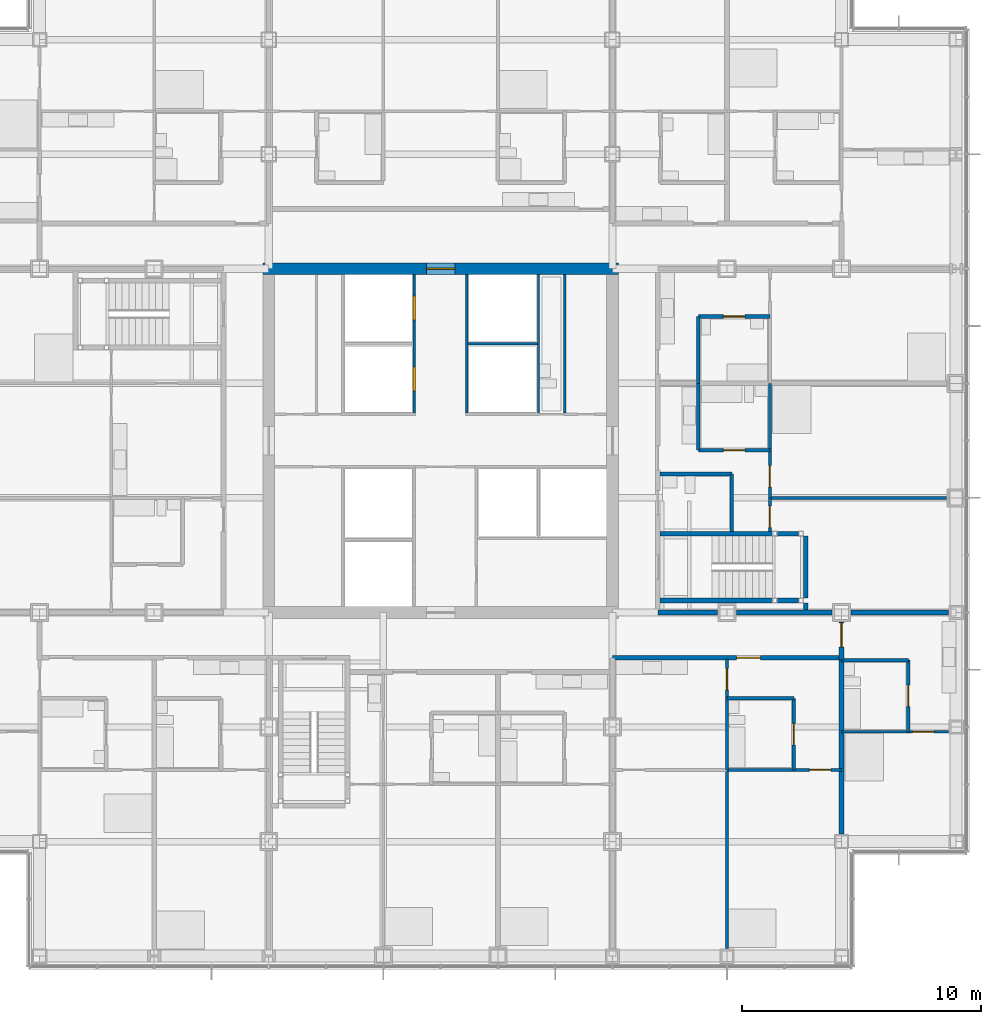
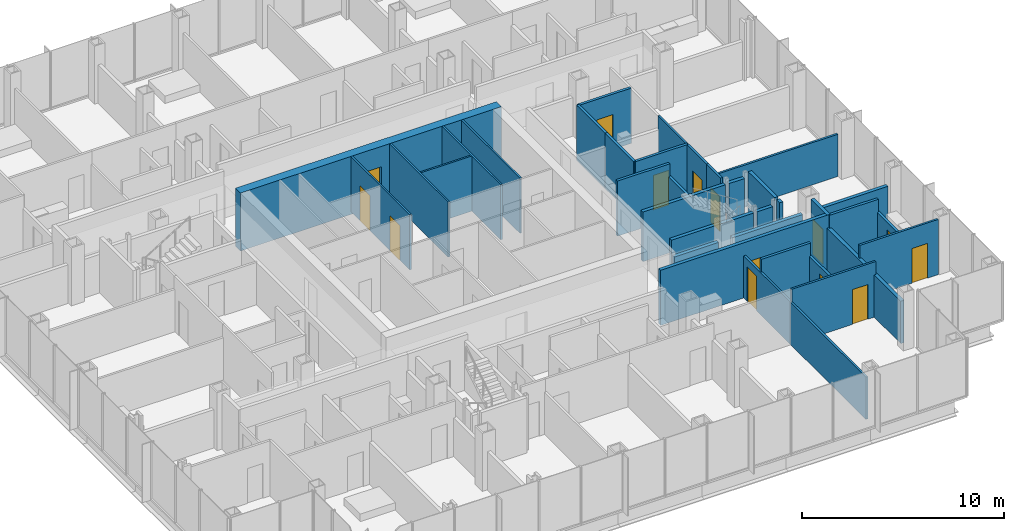
# One storey, part 16 of 21: 35 walls, 14 doors, 14 openings.
"""IFC4 building model written with IfcOpenShell, lengths in metres."""

from ifc_helpers import new_model, si_unit, direction, frame, frame_2d, origin, place, context, subcontext, project, spatial, rectangle, extrude, material, layer, layer_set, type_object, element, fill, save


model = new_model("IFC4")

# Units and contexts
model_context = context("Model", 3, precision=1e-05, world=origin(), true_north=direction((0.0, 1.0)))
body_context = subcontext(model_context, "Body", "Model", "MODEL_VIEW")
ifc_project = project(units=[si_unit("LENGTHUNIT", "METRE"), si_unit("AREAUNIT", "SQUARE_METRE"), si_unit("VOLUMEUNIT", "CUBIC_METRE"), si_unit("PLANEANGLEUNIT", "RADIAN"), si_unit("MASSUNIT", "GRAM", prefix="KILO")], contexts=[model_context])

# Site, building, storey
site_placement = place(None, origin())
site = spatial("IfcSite", under=ifc_project, at=site_placement, CompositionType="ELEMENT")
building_placement = place(site_placement, origin())
building = spatial("IfcBuilding", under=site, at=building_placement, Name="Kvirike Care Tower", CompositionType="ELEMENT")
storey_placement = place(building_placement, frame((0.0, 0.0, 41.0)))
storey = spatial("IfcBuildingStorey", under=building, at=storey_placement, Name="L10", CompositionType="ELEMENT", Elevation=41.0)

# Wall, opening, door
ifc_material_1 = material(Name="Moisture-resistant board partition", Category="gypsum")
ifc_layer_1 = layer(ifc_material_1, 0.14990234375)
ifc_layer_set_1 = layer_set([ifc_layer_1], Name="BATHROOM WALL 150")
wall_type_1 = type_object("IfcWallType", Name="BATHROOM WALL 150", PredefinedType="PARTITIONING", material=ifc_layer_set_1)
wall_1_placement = place(storey_placement, frame((36.39990234375, 22.199951171875, 0.0), z_axis=(0.0, 0.0, 1.0), x_axis=(0.0, 1.0, 0.0)))
wall_1 = element("IfcWall", 1, at=wall_1_placement, inside=storey, type_object=wall_type_1, Name="Bathroom Wall 150 L10", PredefinedType="PARTITIONING", context=body_context, shape_type="SweptSolid", body=[
    extrude(rectangle(XDim=3.0, YDim=0.14990234375, at=frame_2d((1.5, 0.0))), origin(), (0.0, 0.0, 1.0), 2.550048828125),
])
opening_1_placement = place(wall_1_placement, frame((1.050048828125, 0.0, 0.0)))
opening_1 = element("IfcOpeningElement", 2, at=opening_1_placement, cuts=wall_1, Name="Opening 10-039", PredefinedType="OPENING", context=body_context, shape_type="SweptSolid", body=[
    extrude(rectangle(XDim=0.89990234375, YDim=2.10009765625, at=frame_2d((0.449951171875, 1.050048828125))), frame((0.0, 0.08544921875, 0.0), z_axis=(0.0, -1.0, 0.0), x_axis=(1.0, 0.0, 0.0)), (0.0, 0.0, 1.0), 0.1708984375),
])
ifc_material_2 = material(Name="Timber door set", Category="wood")
door_type_1 = type_object("IfcDoorType", Name="BATHROOM DOOR 900", OperationType="SINGLE_SWING_RIGHT", PredefinedType="DOOR", material=ifc_material_2)
door_1_placement = place(opening_1_placement, origin())
door_1 = element("IfcDoor", 3, at=door_1_placement, inside=storey, type_object=door_type_1, Name="Bathroom door", OperationType="SINGLE_SWING_LEFT", OverallHeight=2.10009765625, OverallWidth=0.89990234375, PredefinedType="DOOR", context=body_context, shape_type="SweptSolid", body=[
    extrude(rectangle(XDim=0.89990234375, YDim=2.10009765625, at=frame_2d((0.449951171875, 1.050048828125))), frame((0.0, 0.02197265625, 0.0), z_axis=(0.0, -1.0, 0.0), x_axis=(1.0, 0.0, 0.0)), (0.0, 0.0, 1.0), 0.0439453125),
])
fill(opening_1, door_1)

# Wall
wall_2_placement = place(storey_placement, frame((33.60009765625, 25.199951171875, 0.0), z_axis=(0.0, 0.0, 1.0), x_axis=(1.0, 0.0, 0.0)))
element("IfcWall", 4, at=wall_2_placement, inside=storey, type_object=wall_type_1, Name="Bathroom Wall 150 L10", PredefinedType="PARTITIONING", context=body_context, shape_type="SweptSolid", body=[
    extrude(rectangle(XDim=2.7998046875, YDim=0.14990234375, at=frame_2d((1.39990234375, 0.0))), origin(), (0.0, 0.0, 1.0), 3.330078125),
])

# Wall, opening, door
wall_3_placement = place(storey_placement, frame((41.199951171875, 23.800048828125, 0.0), z_axis=(0.0, 0.0, 1.0), x_axis=(0.0, 1.0, 0.0)))
wall_3 = element("IfcWall", 5, at=wall_3_placement, inside=storey, type_object=wall_type_1, Name="Bathroom Wall 150 L10", PredefinedType="PARTITIONING", context=body_context, shape_type="SweptSolid", body=[
    extrude(rectangle(XDim=3.0, YDim=0.14990234375, at=frame_2d((1.5, 0.0))), origin(), (0.0, 0.0, 1.0), 2.550048828125),
])
opening_2_placement = place(wall_3_placement, frame((1.050048828125, 0.0, 0.0)))
opening_2 = element("IfcOpeningElement", 6, at=opening_2_placement, cuts=wall_3, Name="Opening 10-043", PredefinedType="OPENING", context=body_context, shape_type="SweptSolid", body=[
    extrude(rectangle(XDim=0.89990234375, YDim=2.10009765625, at=frame_2d((0.449951171875, 1.050048828125))), frame((0.0, 0.08544921875, 0.0), z_axis=(0.0, -1.0, 0.0), x_axis=(1.0, 0.0, 0.0)), (0.0, 0.0, 1.0), 0.1708984375),
])
door_2_placement = place(opening_2_placement, origin())
door_2 = element("IfcDoor", 7, at=door_2_placement, inside=storey, type_object=door_type_1, Name="Bathroom door", OperationType="SINGLE_SWING_LEFT", OverallHeight=2.10009765625, OverallWidth=0.89990234375, PredefinedType="DOOR", context=body_context, shape_type="SweptSolid", body=[
    extrude(rectangle(XDim=0.89990234375, YDim=2.10009765625, at=frame_2d((0.449951171875, 1.050048828125))), frame((0.0, 0.02197265625, 0.0), z_axis=(0.0, -1.0, 0.0), x_axis=(1.0, 0.0, 0.0)), (0.0, 0.0, 1.0), 0.0439453125),
])
fill(opening_2, door_2)

# Walls
wall_4_placement = place(storey_placement, frame((38.39990234375, 26.800048828125, 0.0), z_axis=(0.0, 0.0, 1.0), x_axis=(1.0, 0.0, 0.0)))
element("IfcWall", 8, at=wall_4_placement, inside=storey, type_object=wall_type_1, Name="Bathroom Wall 150 L10", PredefinedType="PARTITIONING", context=body_context, shape_type="SweptSolid", body=[
    extrude(rectangle(XDim=2.800048828125, YDim=0.14990234375, at=frame_2d((1.39990234375, 0.0))), origin(), (0.0, 0.0, 1.0), 3.330078125),
])
wall_5_placement = place(storey_placement, frame((33.800048828125, 32.199951171875, 0.0), z_axis=(0.0, 0.0, 1.0), x_axis=(0.0, 1.0, 0.0)))
element("IfcWall", 9, at=wall_5_placement, inside=storey, type_object=wall_type_1, Name="Bathroom Wall 150 L10", PredefinedType="PARTITIONING", context=body_context, shape_type="SweptSolid", body=[
    extrude(rectangle(XDim=2.400146484375, YDim=0.14990234375, at=frame_2d((1.2001953125, 0.0))), origin(), (0.0, 0.0, 1.0), 2.550048828125),
])
wall_6_placement = place(storey_placement, frame((33.800048828125, 34.60009765625, 0.0), z_axis=(0.0, 0.0, 1.0), x_axis=(-1.0, 0.0, 0.0)))
element("IfcWall", 10, at=wall_6_placement, inside=storey, type_object=wall_type_1, Name="Bathroom Wall 150 L10", PredefinedType="PARTITIONING", context=body_context, shape_type="SweptSolid", body=[
    extrude(rectangle(XDim=3.0, YDim=0.14990234375, at=frame_2d((1.5, 0.0))), origin(), (0.0, 0.0, 1.0), 3.330078125),
])

# Wall, opening, door
wall_7_placement = place(storey_placement, frame((35.39990234375, 35.60009765625, 0.0), z_axis=(0.0, 0.0, 1.0), x_axis=(-1.0, 0.0, 0.0)))
wall_7 = element("IfcWall", 11, at=wall_7_placement, inside=storey, type_object=wall_type_1, Name="Bathroom Wall 150 L10", PredefinedType="PARTITIONING", context=body_context, shape_type="SweptSolid", body=[
    extrude(rectangle(XDim=3.0, YDim=0.14990234375, at=frame_2d((1.5, 0.0))), origin(), (0.0, 0.0, 1.0), 3.330078125),
])
opening_3_placement = place(wall_7_placement, frame((1.050048828125, 0.0, 0.0)))
opening_3 = element("IfcOpeningElement", 12, at=opening_3_placement, cuts=wall_7, Name="Opening 10-047", PredefinedType="OPENING", context=body_context, shape_type="SweptSolid", body=[
    extrude(rectangle(XDim=0.89990234375, YDim=2.10009765625, at=frame_2d((0.449951171875, 1.050048828125))), frame((0.0, 0.08544921875, 0.0), z_axis=(0.0, -1.0, 0.0), x_axis=(1.0, 0.0, 0.0)), (0.0, 0.0, 1.0), 0.1708984375),
])
door_3_placement = place(opening_3_placement, frame((0.89990234375, 0.0, 0.0), z_axis=(0.0, 0.0, 1.0), x_axis=(-1.0, 0.0, 0.0)))
door_3 = element("IfcDoor", 13, at=door_3_placement, inside=storey, type_object=door_type_1, Name="Bathroom door", OperationType="SINGLE_SWING_RIGHT", OverallHeight=2.10009765625, OverallWidth=0.89990234375, PredefinedType="DOOR", context=body_context, shape_type="SweptSolid", body=[
    extrude(rectangle(XDim=0.89990234375, YDim=2.10009765625, at=frame_2d((0.449951171875, 1.050048828125))), frame((0.0, 0.02197265625, 0.0), z_axis=(0.0, -1.0, 0.0), x_axis=(1.0, 0.0, 0.0)), (0.0, 0.0, 1.0), 0.0439453125),
])
fill(opening_3, door_3)

# Wall
wall_8_placement = place(storey_placement, frame((32.39990234375, 35.60009765625, 0.0), z_axis=(0.0, 0.0, 1.0), x_axis=(0.0, 1.0, 0.0)))
element("IfcWall", 14, at=wall_8_placement, inside=storey, type_object=wall_type_1, Name="Bathroom Wall 150 L10", PredefinedType="PARTITIONING", context=body_context, shape_type="SweptSolid", body=[
    extrude(rectangle(XDim=2.7998046875, YDim=0.14990234375, at=frame_2d((1.39990234375, 0.0))), origin(), (0.0, 0.0, 1.0), 3.330078125),
])

# Wall, opening, door
wall_9_placement = place(storey_placement, frame((35.39990234375, 41.199951171875, 0.0), z_axis=(0.0, 0.0, 1.0), x_axis=(-1.0, 0.0, 0.0)))
wall_9 = element("IfcWall", 15, at=wall_9_placement, inside=storey, type_object=wall_type_1, Name="Bathroom Wall 150 L10", PredefinedType="PARTITIONING", context=body_context, shape_type="SweptSolid", body=[
    extrude(rectangle(XDim=3.0, YDim=0.14990234375, at=frame_2d((1.5, 0.0))), origin(), (0.0, 0.0, 1.0), 3.330078125),
])
opening_4_placement = place(wall_9_placement, frame((1.050048828125, 0.0, 0.0)))
opening_4 = element("IfcOpeningElement", 16, at=opening_4_placement, cuts=wall_9, Name="Opening 10-050", PredefinedType="OPENING", context=body_context, shape_type="SweptSolid", body=[
    extrude(rectangle(XDim=0.89990234375, YDim=2.10009765625, at=frame_2d((0.449951171875, 1.050048828125))), frame((0.0, 0.08544921875, 0.0), z_axis=(0.0, -1.0, 0.0), x_axis=(1.0, 0.0, 0.0)), (0.0, 0.0, 1.0), 0.1708984375),
])
door_4_placement = place(opening_4_placement, origin())
door_4 = element("IfcDoor", 17, at=door_4_placement, inside=storey, type_object=door_type_1, Name="Bathroom door", OperationType="SINGLE_SWING_LEFT", OverallHeight=2.10009765625, OverallWidth=0.89990234375, PredefinedType="DOOR", context=body_context, shape_type="SweptSolid", body=[
    extrude(rectangle(XDim=0.89990234375, YDim=2.10009765625, at=frame_2d((0.449951171875, 1.050048828125))), frame((0.0, 0.02197265625, 0.0), z_axis=(0.0, -1.0, 0.0), x_axis=(1.0, 0.0, 0.0)), (0.0, 0.0, 1.0), 0.0439453125),
])
fill(opening_4, door_4)

# Wall
wall_10_placement = place(storey_placement, frame((32.39990234375, 38.39990234375, 0.0), z_axis=(0.0, 0.0, 1.0), x_axis=(0.0, 1.0, 0.0)))
element("IfcWall", 18, at=wall_10_placement, inside=storey, type_object=wall_type_1, Name="Bathroom Wall 150 L10", PredefinedType="PARTITIONING", context=body_context, shape_type="SweptSolid", body=[
    extrude(rectangle(XDim=2.800048828125, YDim=0.14990234375, at=frame_2d((1.39990234375, 0.0))), origin(), (0.0, 0.0, 1.0), 3.330078125),
])

# Wall, opening, door
ifc_material_3 = material(Name="Concrete C60/75", Category="concrete")
ifc_layer_2 = layer(ifc_material_3, 0.5)
ifc_layer_set_2 = layer_set([ifc_layer_2], Name="CORE WALL 500 C60-75")
wall_type_2 = type_object("IfcWallType", Name="CORE WALL 500 C60-75", PredefinedType="SHEAR", material=ifc_layer_set_2)
wall_11_placement = place(storey_placement, frame((29.050048828125, 43.199951171875, -0.169921875), z_axis=(0.0, 0.0, 1.0), x_axis=(-1.0, 0.0, 0.0)))
wall_11 = element("IfcWall", 19, at=wall_11_placement, inside=storey, type_object=wall_type_2, Name="Core wall N L10", PredefinedType="SHEAR", context=body_context, shape_type="SweptSolid", body=[
    extrude(rectangle(XDim=14.900146484375, YDim=0.5, at=frame_2d((7.4501953125, 0.0))), origin(), (0.0, 0.0, 1.0), 3.5),
])
opening_5_placement = place(wall_11_placement, frame((6.85009765625, 0.0, 0.169921875)))
opening_5 = element("IfcOpeningElement", 20, at=opening_5_placement, cuts=wall_11, Name="Opening 10-078", PredefinedType="OPENING", context=body_context, shape_type="SweptSolid", body=[
    extrude(rectangle(XDim=1.199951171875, YDim=2.10009765625, at=frame_2d((0.60009765625, 1.050048828125))), frame((0.0, 0.260498046875, 0.0), z_axis=(0.0, -1.0, 0.0), x_axis=(1.0, 0.0, 0.0)), (0.0, 0.0, 1.0), 0.52099609375),
])
ifc_material_4 = material(Name="Timber door set", Category="wood")
door_type_2 = type_object("IfcDoorType", Name="CORE DOOR 1200", OperationType="SINGLE_SWING_LEFT", PredefinedType="DOOR", material=ifc_material_4)
door_5_placement = place(opening_5_placement, origin())
door_5 = element("IfcDoor", 21, at=door_5_placement, inside=storey, type_object=door_type_2, Name="Core door N L10", OperationType="SINGLE_SWING_LEFT", OverallHeight=2.10009765625, OverallWidth=1.199951171875, PredefinedType="DOOR", context=body_context, shape_type="SweptSolid", body=[
    extrude(rectangle(XDim=1.199951171875, YDim=2.10009765625, at=frame_2d((0.60009765625, 1.050048828125))), frame((0.0, 0.02685546875, 0.0), z_axis=(0.0, -1.0, 0.0), x_axis=(1.0, 0.0, 0.0)), (0.0, 0.0, 1.0), 0.053955078125),
])
fill(opening_5, door_5)

ifc_material_5 = material(Name="Plasterboard corridor wall", Category="gypsum")
ifc_layer_3 = layer(ifc_material_5, 0.199951171875)
ifc_layer_set_3 = layer_set([ifc_layer_3], Name="CORRIDOR WALL 200")
wall_type_3 = type_object("IfcWallType", Name="CORRIDOR WALL 200", PredefinedType="PARTITIONING", material=ifc_layer_set_3)
wall_12_placement = place(storey_placement, frame((28.800048828125, 26.89990234375, 0.0), z_axis=(0.0, 0.0, 1.0), x_axis=(1.0, 0.0, 0.0)))
wall_12 = element("IfcWall", 22, at=wall_12_placement, inside=storey, type_object=wall_type_3, Name="Corridor Wall 200 L10", PredefinedType="PARTITIONING", context=body_context, shape_type="SweptSolid", body=[
    extrude(rectangle(XDim=9.599853515625, YDim=0.199951171875, at=frame_2d((4.7998046875, 0.0))), origin(), (0.0, 0.0, 1.0), 3.330078125),
])
opening_6_placement = place(wall_12_placement, frame((5.199951171875, 0.0, 0.0)))
opening_6 = element("IfcOpeningElement", 23, at=opening_6_placement, cuts=wall_12, Name="Opening 10-045", PredefinedType="OPENING", context=body_context, shape_type="SweptSolid", body=[
    extrude(rectangle(XDim=1.0, YDim=2.10009765625, at=frame_2d((0.5, 1.050048828125))), frame((0.0, 0.110595703125, 0.0), z_axis=(0.0, -1.0, 0.0), x_axis=(1.0, 0.0, 0.0)), (0.0, 0.0, 1.0), 0.220947265625),
])
ifc_material_6 = material(Name="Timber door set", Category="wood")
door_type_3 = type_object("IfcDoorType", Name="FLAT ENTRANCE DOOR 1000", OperationType="SINGLE_SWING_LEFT", PredefinedType="DOOR", material=ifc_material_6)
door_6_placement = place(opening_6_placement, frame((1.0, 0.0, 0.0), z_axis=(0.0, 0.0, 1.0), x_axis=(-1.0, 0.0, 0.0)))
door_6 = element("IfcDoor", 24, at=door_6_placement, inside=storey, type_object=door_type_3, Name="One-bedroom apartment entrance", OperationType="SINGLE_SWING_LEFT", OverallHeight=2.10009765625, OverallWidth=1.0, PredefinedType="DOOR", context=body_context, shape_type="SweptSolid", body=[
    extrude(rectangle(XDim=1.0, YDim=2.10009765625, at=frame_2d((0.5, 1.050048828125))), frame((0.0, 0.02685546875, 0.0), z_axis=(0.0, -1.0, 0.0), x_axis=(1.0, 0.0, 0.0)), (0.0, 0.0, 1.0), 0.053955078125),
])
fill(opening_6, door_6)

wall_13_placement = place(storey_placement, frame((38.39990234375, 26.800048828125, 0.0), z_axis=(0.0, 0.0, 1.0), x_axis=(0.0, 1.0, 0.0)))
wall_13 = element("IfcWall", 25, at=wall_13_placement, inside=storey, type_object=wall_type_3, Name="Corridor Wall 200 L10", PredefinedType="PARTITIONING", context=body_context, shape_type="SweptSolid", body=[
    extrude(rectangle(XDim=1.60498046875, YDim=0.199951171875, at=frame_2d((0.802490234375, 0.0))), origin(), (0.0, 0.0, 1.0), 3.330078125),
])
opening_7_placement = place(wall_13_placement, frame((0.550048828125, 0.0, 0.0)))
opening_7 = element("IfcOpeningElement", 26, at=opening_7_placement, cuts=wall_13, Name="Opening 10-046", PredefinedType="OPENING", context=body_context, shape_type="SweptSolid", body=[
    extrude(rectangle(XDim=1.0, YDim=2.10009765625, at=frame_2d((0.5, 1.050048828125))), frame((0.0, 0.110595703125, 0.0), z_axis=(0.0, -1.0, 0.0), x_axis=(1.0, 0.0, 0.0)), (0.0, 0.0, 1.0), 0.220947265625),
])
door_7_placement = place(opening_7_placement, frame((1.0, 0.0, 0.0), z_axis=(0.0, 0.0, 1.0), x_axis=(-1.0, 0.0, 0.0)))
door_7 = element("IfcDoor", 27, at=door_7_placement, inside=storey, type_object=door_type_3, Name="Studio apartment entrance", OperationType="SINGLE_SWING_RIGHT", OverallHeight=2.10009765625, OverallWidth=1.0, PredefinedType="DOOR", context=body_context, shape_type="SweptSolid", body=[
    extrude(rectangle(XDim=1.0, YDim=2.10009765625, at=frame_2d((0.5, 1.050048828125))), frame((0.0, 0.02685546875, 0.0), z_axis=(0.0, -1.0, 0.0), x_axis=(1.0, 0.0, 0.0)), (0.0, 0.0, 1.0), 0.053955078125),
])
fill(opening_7, door_7)

ifc_material_7 = material(Name="Plasterboard partition", Category="gypsum")
ifc_layer_4 = layer(ifc_material_7, 0.1201171875)
ifc_layer_set_4 = layer_set([ifc_layer_4], Name="PARTITION 120")
wall_type_4 = type_object("IfcWallType", Name="PARTITION 120", PredefinedType="PARTITIONING", material=ifc_layer_set_4)
wall_14_placement = place(storey_placement, frame((33.60009765625, 22.199951171875, 0.0), z_axis=(0.0, 0.0, 1.0), x_axis=(0.0, 1.0, 0.0)))
wall_14 = element("IfcWall", 28, at=wall_14_placement, inside=storey, type_object=wall_type_4, Name="Partition 120 L10", PredefinedType="PARTITIONING", context=body_context, shape_type="SweptSolid", body=[
    extrude(rectangle(XDim=4.650146484375, YDim=0.1201171875, at=frame_2d((2.3251953125, 0.0))), origin(), (0.0, 0.0, 1.0), 2.550048828125),
])
opening_8_placement = place(wall_14_placement, frame((3.35009765625, 0.0, 0.0)))
opening_8 = element("IfcOpeningElement", 29, at=opening_8_placement, cuts=wall_14, Name="Opening 10-040", PredefinedType="OPENING", context=body_context, shape_type="SweptSolid", body=[
    extrude(rectangle(XDim=0.89990234375, YDim=2.10009765625, at=frame_2d((0.449951171875, 1.050048828125))), frame((0.0, 0.070556640625, 0.0), z_axis=(0.0, -1.0, 0.0), x_axis=(1.0, 0.0, 0.0)), (0.0, 0.0, 1.0), 0.14111328125),
])
ifc_material_8 = material(Name="Timber door set", Category="wood")
door_type_4 = type_object("IfcDoorType", Name="INTERNAL DOOR 900", OperationType="SINGLE_SWING_LEFT", PredefinedType="DOOR", material=ifc_material_8)
door_8_placement = place(opening_8_placement, origin())
door_8 = element("IfcDoor", 30, at=door_8_placement, inside=storey, type_object=door_type_4, Name="Hall door", OperationType="SINGLE_SWING_LEFT", OverallHeight=2.10009765625, OverallWidth=0.89990234375, PredefinedType="DOOR", context=body_context, shape_type="SweptSolid", body=[
    extrude(rectangle(XDim=0.89990234375, YDim=2.10009765625, at=frame_2d((0.449951171875, 1.050048828125))), frame((0.0, 0.02197265625, 0.0), z_axis=(0.0, -1.0, 0.0), x_axis=(1.0, 0.0, 0.0)), (0.0, 0.0, 1.0), 0.0439453125),
])
fill(opening_8, door_8)

wall_15_placement = place(storey_placement, frame((33.60009765625, 22.199951171875, 0.0), z_axis=(0.0, 0.0, 1.0), x_axis=(1.0, 0.0, 0.0)))
wall_15 = element("IfcWall", 31, at=wall_15_placement, inside=storey, type_object=wall_type_4, Name="Partition 120 L10", PredefinedType="PARTITIONING", context=body_context, shape_type="SweptSolid", body=[
    extrude(rectangle(XDim=4.7998046875, YDim=0.1201171875, at=frame_2d((2.39990234375, 0.0))), origin(), (0.0, 0.0, 1.0), 3.330078125),
])
opening_9_placement = place(wall_15_placement, frame((3.449951171875, 0.0, 0.0)))
opening_9 = element("IfcOpeningElement", 32, at=opening_9_placement, cuts=wall_15, Name="Opening 10-042", PredefinedType="OPENING", context=body_context, shape_type="SweptSolid", body=[
    extrude(rectangle(XDim=0.89990234375, YDim=2.10009765625, at=frame_2d((0.449951171875, 1.050048828125))), frame((0.0, 0.070556640625, 0.0), z_axis=(0.0, -1.0, 0.0), x_axis=(1.0, 0.0, 0.0)), (0.0, 0.0, 1.0), 0.14111328125),
])
door_9_placement = place(opening_9_placement, origin())
door_9 = element("IfcDoor", 33, at=door_9_placement, inside=storey, type_object=door_type_4, Name="Apartment bedroom door", OperationType="SINGLE_SWING_LEFT", OverallHeight=2.10009765625, OverallWidth=0.89990234375, PredefinedType="DOOR", context=body_context, shape_type="SweptSolid", body=[
    extrude(rectangle(XDim=0.89990234375, YDim=2.10009765625, at=frame_2d((0.449951171875, 1.050048828125))), frame((0.0, 0.02197265625, 0.0), z_axis=(0.0, -1.0, 0.0), x_axis=(1.0, 0.0, 0.0)), (0.0, 0.0, 1.0), 0.0439453125),
])
fill(opening_9, door_9)

# Wall
wall_16_placement = place(storey_placement, frame((33.60009765625, 14.719970703125, 0.0), z_axis=(0.0, 0.0, 1.0), x_axis=(0.0, 1.0, 0.0)))
element("IfcWall", 34, at=wall_16_placement, inside=storey, type_object=wall_type_4, Name="Partition 120 L10", PredefinedType="PARTITIONING", context=body_context, shape_type="SweptSolid", body=[
    extrude(rectangle(XDim=7.47998046875, YDim=0.1201171875, at=frame_2d((3.739990234375, 0.0))), origin(), (0.0, 0.0, 1.0), 2.550048828125),
])

# Wall, opening, door
wall_17_placement = place(storey_placement, frame((38.39990234375, 23.800048828125, 0.0), z_axis=(0.0, 0.0, 1.0), x_axis=(1.0, 0.0, 0.0)))
wall_17 = element("IfcWall", 35, at=wall_17_placement, inside=storey, type_object=wall_type_4, Name="Partition 120 L10", PredefinedType="PARTITIONING", context=body_context, shape_type="SweptSolid", body=[
    extrude(rectangle(XDim=4.47998046875, YDim=0.1201171875, at=frame_2d((2.239990234375, 0.0))), origin(), (0.0, 0.0, 1.0), 3.330078125),
])
opening_10_placement = place(wall_17_placement, frame((2.97509765625, 0.0, 0.0)))
opening_10 = element("IfcOpeningElement", 36, at=opening_10_placement, cuts=wall_17, Name="Opening 10-044", PredefinedType="OPENING", context=body_context, shape_type="SweptSolid", body=[
    extrude(rectangle(XDim=0.89990234375, YDim=2.10009765625, at=frame_2d((0.449951171875, 1.050048828125))), frame((0.0, 0.070556640625, 0.0), z_axis=(0.0, -1.0, 0.0), x_axis=(1.0, 0.0, 0.0)), (0.0, 0.0, 1.0), 0.14111328125),
])
door_10_placement = place(opening_10_placement, origin())
door_10 = element("IfcDoor", 37, at=door_10_placement, inside=storey, type_object=door_type_4, Name="Studio apartment living room door", OperationType="SINGLE_SWING_RIGHT", OverallHeight=2.10009765625, OverallWidth=0.89990234375, PredefinedType="DOOR", context=body_context, shape_type="SweptSolid", body=[
    extrude(rectangle(XDim=0.89990234375, YDim=2.10009765625, at=frame_2d((0.449951171875, 1.050048828125))), frame((0.0, 0.02197265625, 0.0), z_axis=(0.0, -1.0, 0.0), x_axis=(1.0, 0.0, 0.0)), (0.0, 0.0, 1.0), 0.0439453125),
])
fill(opening_10, door_10)

wall_18_placement = place(storey_placement, frame((35.39990234375, 32.199951171875, 0.0), z_axis=(0.0, 0.0, 1.0), x_axis=(0.0, 1.0, 0.0)))
wall_18 = element("IfcWall", 38, at=wall_18_placement, inside=storey, type_object=wall_type_4, Name="Partition 120 L10", PredefinedType="PARTITIONING", context=body_context, shape_type="SweptSolid", body=[
    extrude(rectangle(XDim=1.400146484375, YDim=0.1201171875, at=frame_2d((0.7001953125, 0.0))), origin(), (0.0, 0.0, 1.0), 3.330078125),
])
opening_11_placement = place(wall_18_placement, frame((0.14990234375, 0.0, 0.0)))
opening_11 = element("IfcOpeningElement", 39, at=opening_11_placement, cuts=wall_18, Name="Opening 10-048", PredefinedType="OPENING", context=body_context, shape_type="SweptSolid", body=[
    extrude(rectangle(XDim=0.89990234375, YDim=2.10009765625, at=frame_2d((0.449951171875, 1.050048828125))), frame((0.0, 0.070556640625, 0.0), z_axis=(0.0, -1.0, 0.0), x_axis=(1.0, 0.0, 0.0)), (0.0, 0.0, 1.0), 0.14111328125),
])
door_11_placement = place(opening_11_placement, origin())
door_11 = element("IfcDoor", 40, at=door_11_placement, inside=storey, type_object=door_type_4, Name="Apartment living room door", OperationType="SINGLE_SWING_RIGHT", OverallHeight=2.10009765625, OverallWidth=0.89990234375, PredefinedType="DOOR", context=body_context, shape_type="SweptSolid", body=[
    extrude(rectangle(XDim=0.89990234375, YDim=2.10009765625, at=frame_2d((0.449951171875, 1.050048828125))), frame((0.0, 0.02197265625, 0.0), z_axis=(0.0, -1.0, 0.0), x_axis=(1.0, 0.0, 0.0)), (0.0, 0.0, 1.0), 0.0439453125),
])
fill(opening_11, door_11)

wall_19_placement = place(storey_placement, frame((35.39990234375, 33.60009765625, 0.0), z_axis=(0.0, 0.0, 1.0), x_axis=(0.0, 1.0, 0.0)))
wall_19 = element("IfcWall", 41, at=wall_19_placement, inside=storey, type_object=wall_type_4, Name="Partition 120 L10", PredefinedType="PARTITIONING", context=body_context, shape_type="SweptSolid", body=[
    extrude(rectangle(XDim=4.7998046875, YDim=0.1201171875, at=frame_2d((2.39990234375, 0.0))), origin(), (0.0, 0.0, 1.0), 3.330078125),
])
opening_12_placement = place(wall_19_placement, frame((0.449951171875, 0.0, 0.0)))
opening_12 = element("IfcOpeningElement", 42, at=opening_12_placement, cuts=wall_19, Name="Opening 10-049", PredefinedType="OPENING", context=body_context, shape_type="SweptSolid", body=[
    extrude(rectangle(XDim=0.89990234375, YDim=2.10009765625, at=frame_2d((0.449951171875, 1.050048828125))), frame((0.0, 0.070556640625, 0.0), z_axis=(0.0, -1.0, 0.0), x_axis=(1.0, 0.0, 0.0)), (0.0, 0.0, 1.0), 0.14111328125),
])
door_12_placement = place(opening_12_placement, origin())
door_12 = element("IfcDoor", 43, at=door_12_placement, inside=storey, type_object=door_type_4, Name="Apartment bedroom door", OperationType="SINGLE_SWING_LEFT", OverallHeight=2.10009765625, OverallWidth=0.89990234375, PredefinedType="DOOR", context=body_context, shape_type="SweptSolid", body=[
    extrude(rectangle(XDim=0.89990234375, YDim=2.10009765625, at=frame_2d((0.449951171875, 1.050048828125))), frame((0.0, 0.02197265625, 0.0), z_axis=(0.0, -1.0, 0.0), x_axis=(1.0, 0.0, 0.0)), (0.0, 0.0, 1.0), 0.0439453125),
])
fill(opening_12, door_12)

# Walls
wall_20_placement = place(storey_placement, frame((42.804931640625, 33.60009765625, 0.0), z_axis=(0.0, 0.0, 1.0), x_axis=(-1.0, 0.0, 0.0)))
element("IfcWall", 44, at=wall_20_placement, inside=storey, type_object=wall_type_4, Name="Partition 120 L10", PredefinedType="PARTITIONING", context=body_context, shape_type="SweptSolid", body=[
    extrude(rectangle(XDim=7.405029296875, YDim=0.1201171875, at=frame_2d((3.70263671875, 0.0))), origin(), (0.0, 0.0, 1.0), 2.550048828125),
])
ifc_material_9 = material(Name="Plasterboard party wall", Category="gypsum")
ifc_layer_5 = layer(ifc_material_9, 0.199951171875)
ifc_layer_set_5 = layer_set([ifc_layer_5], Name="PARTY WALL 200")
wall_type_5 = type_object("IfcWallType", Name="PARTY WALL 200", PredefinedType="PARTITIONING", material=ifc_layer_set_5)
wall_21_placement = place(storey_placement, frame((38.39990234375, 19.52001953125, 0.0), z_axis=(0.0, 0.0, 1.0), x_axis=(0.0, 1.0, 0.0)))
element("IfcWall", 45, at=wall_21_placement, inside=storey, type_object=wall_type_5, Name="Party Wall 200 L10", PredefinedType="PARTITIONING", context=body_context, shape_type="SweptSolid", body=[
    extrude(rectangle(XDim=7.280029296875, YDim=0.199951171875, at=frame_2d((3.64013671875, 0.0))), origin(), (0.0, 0.0, 1.0), 2.550048828125),
])
wall_22_placement = place(storey_placement, frame((42.8798828125, 28.800048828125, 0.0), z_axis=(0.0, 0.0, 1.0), x_axis=(-1.0, 0.0, 0.0)))
element("IfcWall", 46, at=wall_22_placement, inside=storey, type_object=wall_type_5, Name="Party Wall 200 L10", PredefinedType="PARTITIONING", context=body_context, shape_type="SweptSolid", body=[
    extrude(rectangle(XDim=4.0849609375, YDim=0.199951171875, at=frame_2d((2.04248046875, 0.0))), origin(), (0.0, 0.0, 1.0), 2.320068359375),
])
wall_23_placement = place(storey_placement, frame((38.0048828125, 28.800048828125, 0.0), z_axis=(0.0, 0.0, 1.0), x_axis=(-1.0, 0.0, 0.0)))
element("IfcWall", 47, at=wall_23_placement, inside=storey, type_object=wall_type_5, Name="Party Wall 200 L10", PredefinedType="PARTITIONING", context=body_context, shape_type="SweptSolid", body=[
    extrude(rectangle(XDim=4.009765625, YDim=0.199951171875, at=frame_2d((2.0048828125, 0.0))), origin(), (0.0, 0.0, 1.0), 2.320068359375),
])
wall_24_placement = place(storey_placement, frame((33.205078125, 28.800048828125, 0.0), z_axis=(0.0, 0.0, 1.0), x_axis=(-1.0, 0.0, 0.0)))
element("IfcWall", 48, at=wall_24_placement, inside=storey, type_object=wall_type_5, Name="Party Wall 200 L10", PredefinedType="PARTITIONING", context=body_context, shape_type="SweptSolid", body=[
    extrude(rectangle(XDim=2.505126953125, YDim=0.199951171875, at=frame_2d((1.25244140625, 0.0))), origin(), (0.0, 0.0, 1.0), 2.320068359375),
])
ifc_material_10 = material(Name="Gypsum shaft wall system", Category="gypsum")
ifc_layer_6 = layer(ifc_material_10, 0.10009765625)
ifc_layer_set_6 = layer_set([ifc_layer_6], Name="SHAFT WALL 100")
wall_type_6 = type_object("IfcWallType", Name="SHAFT WALL 100", PredefinedType="SOLIDWALL", material=ifc_layer_set_6)
wall_25_placement = place(storey_placement, frame((26.800048828125, 37.14990234375, 0.0), z_axis=(0.0, 0.0, 1.0), x_axis=(0.0, 1.0, 0.0)))
element("IfcWall", 49, at=wall_25_placement, inside=storey, type_object=wall_type_6, Name="Shaft Wall 100 L10", PredefinedType="SOLIDWALL", context=body_context, shape_type="SweptSolid", body=[
    extrude(rectangle(XDim=5.800048828125, YDim=0.10009765625, at=frame_2d((2.89990234375, 0.0))), origin(), (0.0, 0.0, 1.0), 3.330078125),
])

# Wall, openings, doors
wall_26_placement = place(storey_placement, frame((20.5, 37.14990234375, 0.0), z_axis=(0.0, 0.0, 1.0), x_axis=(0.0, 1.0, 0.0)))
wall_26 = element("IfcWall", 50, at=wall_26_placement, inside=storey, type_object=wall_type_6, Name="Shaft Wall 100 L10", PredefinedType="SOLIDWALL", context=body_context, shape_type="SweptSolid", body=[
    extrude(rectangle(XDim=5.800048828125, YDim=0.10009765625, at=frame_2d((2.89990234375, 0.0))), origin(), (0.0, 0.0, 1.0), 3.330078125),
])
opening_13_placement = place(wall_26_placement, frame((0.925048828125, 0.0, 0.0)))
opening_13 = element("IfcOpeningElement", 51, at=opening_13_placement, cuts=wall_26, Name="Opening 10-066", PredefinedType="OPENING", context=body_context, shape_type="SweptSolid", body=[
    extrude(rectangle(XDim=1.0, YDim=2.10009765625, at=frame_2d((0.5, 1.050048828125))), frame((0.0, 0.060546875, 0.0), z_axis=(0.0, -1.0, 0.0), x_axis=(1.0, 0.0, 0.0)), (0.0, 0.0, 1.0), 0.12109375),
])
opening_14_placement = place(wall_26_placement, frame((3.89990234375, 0.0, 0.0)))
opening_14 = element("IfcOpeningElement", 52, at=opening_14_placement, cuts=wall_26, Name="Opening 10-067", PredefinedType="OPENING", context=body_context, shape_type="SweptSolid", body=[
    extrude(rectangle(XDim=1.0, YDim=2.10009765625, at=frame_2d((0.5, 1.050048828125))), frame((0.0, 0.060546875, 0.0), z_axis=(0.0, -1.0, 0.0), x_axis=(1.0, 0.0, 0.0)), (0.0, 0.0, 1.0), 0.12109375),
])
ifc_material_11 = material(Name="Aluminium door frame", Category="aluminium")
door_type_5 = type_object("IfcDoorType", Name="LIFT LANDING DOOR 1000", OperationType="SLIDING_TO_LEFT", PredefinedType="DOOR", material=ifc_material_11)
door_13_placement = place(opening_13_placement, origin())
door_13 = element("IfcDoor", 53, at=door_13_placement, inside=storey, type_object=door_type_5, Name="Lift P1 landing door", OperationType="SLIDING_TO_LEFT", OverallHeight=2.10009765625, OverallWidth=1.0, PredefinedType="DOOR", context=body_context, shape_type="SweptSolid", body=[
    extrude(rectangle(XDim=1.0, YDim=2.10009765625, at=frame_2d((0.5, 1.050048828125))), frame((0.0, 0.0498046875, 0.0), z_axis=(0.0, -1.0, 0.0), x_axis=(1.0, 0.0, 0.0)), (0.0, 0.0, 1.0), 0.099609375),
])
fill(opening_13, door_13)
door_14_placement = place(opening_14_placement, origin())
door_14 = element("IfcDoor", 54, at=door_14_placement, inside=storey, type_object=door_type_5, Name="Lift P2 landing door", OperationType="SLIDING_TO_LEFT", OverallHeight=2.10009765625, OverallWidth=1.0, PredefinedType="DOOR", context=body_context, shape_type="SweptSolid", body=[
    extrude(rectangle(XDim=1.0, YDim=2.10009765625, at=frame_2d((0.5, 1.050048828125))), frame((0.0, 0.0498046875, 0.0), z_axis=(0.0, -1.0, 0.0), x_axis=(1.0, 0.0, 0.0)), (0.0, 0.0, 1.0), 0.099609375),
])
fill(opening_14, door_14)

# Walls
wall_27_placement = place(storey_placement, frame((22.699951171875, 37.14990234375, 0.0), z_axis=(0.0, 0.0, 1.0), x_axis=(0.0, 1.0, 0.0)))
element("IfcWall", 55, at=wall_27_placement, inside=storey, type_object=wall_type_6, Name="Shaft Wall 100 L10", PredefinedType="SOLIDWALL", context=body_context, shape_type="SweptSolid", body=[
    extrude(rectangle(XDim=5.800048828125, YDim=0.10009765625, at=frame_2d((2.89990234375, 0.0))), origin(), (0.0, 0.0, 1.0), 3.330078125),
])
wall_28_placement = place(storey_placement, frame((22.75, 40.050048828125, 0.0), z_axis=(0.0, 0.0, 1.0), x_axis=(1.0, 0.0, 0.0)))
element("IfcWall", 56, at=wall_28_placement, inside=storey, type_object=wall_type_6, Name="Shaft Wall 100 L10", PredefinedType="SOLIDWALL", context=body_context, shape_type="SweptSolid", body=[
    extrude(rectangle(XDim=2.89990234375, YDim=0.10009765625, at=frame_2d((1.449951171875, 0.0))), origin(), (0.0, 0.0, 1.0), 3.330078125),
])
wall_29_placement = place(storey_placement, frame((25.699951171875, 37.14990234375, 0.0), z_axis=(0.0, 0.0, 1.0), x_axis=(0.0, 1.0, 0.0)))
element("IfcWall", 57, at=wall_29_placement, inside=storey, type_object=wall_type_6, Name="Shaft Wall 100 L10", PredefinedType="SOLIDWALL", context=body_context, shape_type="SweptSolid", body=[
    extrude(rectangle(XDim=5.800048828125, YDim=0.10009765625, at=frame_2d((2.89990234375, 0.0))), origin(), (0.0, 0.0, 1.0), 3.330078125),
])
ifc_material_12 = material(Name="Concrete C40/50", Category="concrete")
ifc_layer_7 = layer(ifc_material_12, 0.199951171875)
ifc_layer_set_7 = layer_set([ifc_layer_7], Name="STAIR WALL 200")
wall_type_7 = type_object("IfcWallType", Name="STAIR WALL 200", PredefinedType="SOLIDWALL", material=ifc_layer_set_7)
wall_30_placement = place(storey_placement, frame((36.60009765625, 29.300048828125, 0.0), z_axis=(0.0, 0.0, 1.0), x_axis=(-1.0, 0.0, 0.0)))
element("IfcWall", 58, at=wall_30_placement, inside=storey, type_object=wall_type_7, Name="Stair Wall 200 L10", PredefinedType="SOLIDWALL", context=body_context, shape_type="SweptSolid", body=[
    extrude(rectangle(XDim=0.900146484375, YDim=0.199951171875, at=frame_2d((0.4501953125, 0.0))), origin(), (0.0, 0.0, 1.0), 2.989990234375),
])
wall_31_placement = place(storey_placement, frame((35.5, 29.300048828125, 0.0), z_axis=(0.0, 0.0, 1.0), x_axis=(-1.0, 0.0, 0.0)))
element("IfcWall", 59, at=wall_31_placement, inside=storey, type_object=wall_type_7, Name="Stair Wall 200 L10", PredefinedType="SOLIDWALL", context=body_context, shape_type="SweptSolid", body=[
    extrude(rectangle(XDim=4.699951171875, YDim=0.199951171875, at=frame_2d((2.35009765625, 0.0))), origin(), (0.0, 0.0, 1.0), 2.989990234375),
])
wall_32_placement = place(storey_placement, frame((36.60009765625, 32.10009765625, 0.0), z_axis=(0.0, 0.0, 1.0), x_axis=(-1.0, 0.0, 0.0)))
element("IfcWall", 60, at=wall_32_placement, inside=storey, type_object=wall_type_7, Name="Stair Wall 200 L10", PredefinedType="SOLIDWALL", context=body_context, shape_type="SweptSolid", body=[
    extrude(rectangle(XDim=0.900146484375, YDim=0.199951171875, at=frame_2d((0.4501953125, 0.0))), origin(), (0.0, 0.0, 1.0), 2.989990234375),
])
wall_33_placement = place(storey_placement, frame((35.5, 32.10009765625, 0.0), z_axis=(0.0, 0.0, 1.0), x_axis=(-1.0, 0.0, 0.0)))
element("IfcWall", 61, at=wall_33_placement, inside=storey, type_object=wall_type_7, Name="Stair Wall 200 L10", PredefinedType="SOLIDWALL", context=body_context, shape_type="SweptSolid", body=[
    extrude(rectangle(XDim=4.699951171875, YDim=0.199951171875, at=frame_2d((2.35009765625, 0.0))), origin(), (0.0, 0.0, 1.0), 2.989990234375),
])
wall_34_placement = place(storey_placement, frame((36.89990234375, 28.89990234375, 0.0), z_axis=(0.0, 0.0, 1.0), x_axis=(0.0, 1.0, 0.0)))
element("IfcWall", 62, at=wall_34_placement, inside=storey, type_object=wall_type_7, Name="Stair Wall 200 L10", PredefinedType="SOLIDWALL", context=body_context, shape_type="SweptSolid", body=[
    extrude(rectangle(XDim=0.300048828125, YDim=0.199951171875, at=frame_2d((0.14990234375, 0.0))), origin(), (0.0, 0.0, 1.0), 3.330078125),
])
wall_35_placement = place(storey_placement, frame((36.89990234375, 29.39990234375, 0.0), z_axis=(0.0, 0.0, 1.0), x_axis=(0.0, 1.0, 0.0)))
element("IfcWall", 63, at=wall_35_placement, inside=storey, type_object=wall_type_7, Name="Stair Wall 200 L10", PredefinedType="SOLIDWALL", context=body_context, shape_type="SweptSolid", body=[
    extrude(rectangle(XDim=2.60009765625, YDim=0.199951171875, at=frame_2d((1.300048828125, 0.0))), origin(), (0.0, 0.0, 1.0), 3.330078125),
])

save(model, "model.ifc")
